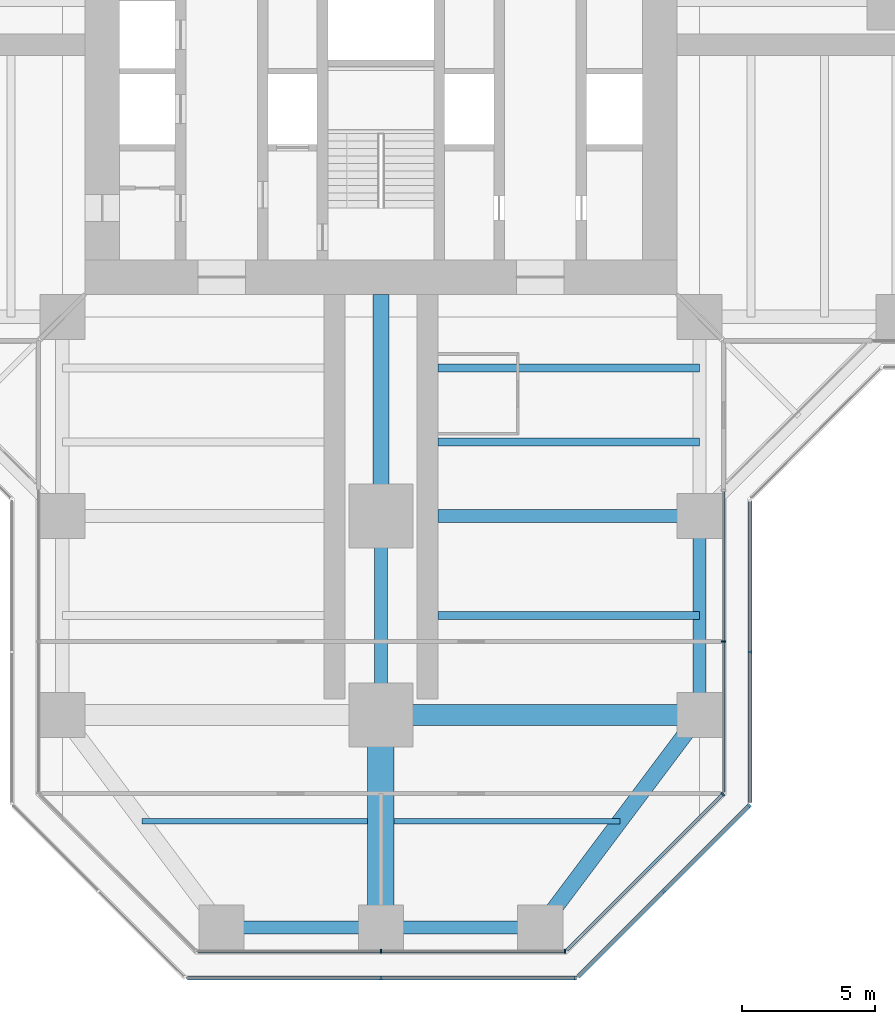
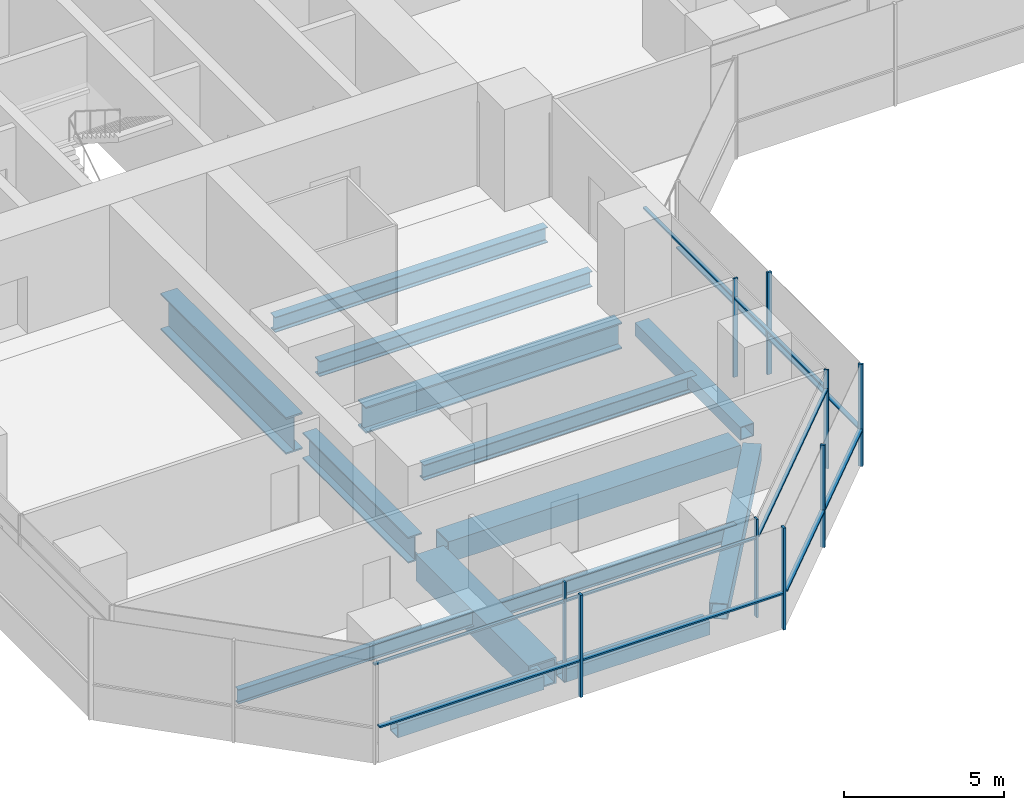
# One storey, part 5 of 22: 20 members, 14 beams, 6 elements without a shape of their own.
"""IFC4 building model written with IfcOpenShell, lengths in metres."""

import ifcopenshell
import ifcopenshell.guid

model = None  # the IFC model being written
_history = None  # IfcOwnerHistory: only IFC2X3 demands one
_inside = {}  # id of a spatial element -> (the spatial element, [elements in it])
_under = {}  # id of a project, library or spatial element -> (it, [spatial elements below it])
_declared = {}  # id of a project -> (the project, [libraries it declares])
_typed = {}  # id of a type object -> (the type object, [elements of that type])
_made_of = {}  # id of a material, layer set ... -> (it, [elements and type objects made of it])


def new_model(schema):
    """Start an empty IFC model of exactly this schema.

    Asked for "IFC4X3", IfcOpenShell would pick the latest addendum, in which some entities
    have other attributes; the version numbers below select the first issue.
    IFC2X3 requires an IfcOwnerHistory on every rooted entity: one is made here for all.
    """
    global model, _history
    if schema == "IFC4X3":
        model = ifcopenshell.file(schema_version=(4, 3, 0, 0))
    else:
        model = ifcopenshell.file(schema=schema)
    _inside.clear()
    _under.clear()
    _declared.clear()
    _typed.clear()
    _made_of.clear()
    _history = None
    if model.schema == "IFC2X3":
        org = make("IfcOrganization", Name="unknown")
        user = make(
            "IfcPersonAndOrganization",
            ThePerson=make("IfcPerson", FamilyName="unknown"),
            TheOrganization=org,
        )
        app = make(
            "IfcApplication",
            ApplicationDeveloper=org,
            Version="unknown",
            ApplicationFullName="unknown",
            ApplicationIdentifier="unknown",
        )
        _history = make(
            "IfcOwnerHistory",
            OwningUser=user,
            OwningApplication=app,
            ChangeAction="ADDED",
            CreationDate=0,
        )
    return model


def make(cls, **values):
    """One entity of the class cls with the attributes given. An attribute that is None is left unset."""
    return model.create_entity(
        cls, **{name: value for name, value in values.items() if value is not None}
    )


def rooted(cls, **values):
    """An entity with a GlobalId (a new one), such as an element, a storey or a relation."""
    return make(cls, GlobalId=ifcopenshell.guid.new(), OwnerHistory=_history, **values)


def si_unit(unit_type, name, prefix=None):
    """IfcSIUnit, for example si_unit("LENGTHUNIT", "METRE", prefix="MILLI")."""
    return make("IfcSIUnit", UnitType=unit_type, Prefix=prefix, Name=name)


def assignment(units):
    """IfcUnitAssignment: the units of a project."""
    return None if units is None else make("IfcUnitAssignment", Units=units)


def point(xyz):
    """IfcCartesianPoint."""
    return None if xyz is None else make("IfcCartesianPoint", Coordinates=xyz)


def direction(xyz):
    """IfcDirection."""
    return None if xyz is None else make("IfcDirection", DirectionRatios=xyz)


def frame(location, z_axis=None, x_axis=None):
    """IfcAxis2Placement3D, a coordinate frame: its origin and axes. An axis left out is left unset."""
    return make(
        "IfcAxis2Placement3D",
        Location=point(location),
        Axis=direction(z_axis),
        RefDirection=direction(x_axis),
    )


def frame_2d(location, x_axis=None):
    """IfcAxis2Placement2D, a coordinate frame in the plane: its origin and x axis."""
    return make(
        "IfcAxis2Placement2D", Location=point(location), RefDirection=direction(x_axis)
    )


def origin():
    """The frame at (0, 0, 0) with its axes left unset."""
    return frame((0.0, 0.0, 0.0))


def origin_2d():
    """The frame at (0, 0) in the plane with its x axis left unset."""
    return frame_2d((0.0, 0.0))


def place(relative_to, where):
    """IfcLocalPlacement: puts the frame where relative to a parent placement (None: the world)."""
    return make(
        "IfcLocalPlacement", PlacementRelTo=relative_to, RelativePlacement=where
    )


def context(
    kind, dimensions, precision=None, world=None, true_north=None, identifier=None
):
    """IfcGeometricRepresentationContext, for example the 3D "Model" context."""
    return make(
        "IfcGeometricRepresentationContext",
        ContextIdentifier=identifier,
        ContextType=kind,
        CoordinateSpaceDimension=dimensions,
        Precision=precision,
        WorldCoordinateSystem=world,
        TrueNorth=true_north,
    )


def subcontext(parent, identifier, kind, view, scale=None):
    """IfcGeometricRepresentationSubContext, for example "Body" below "Model"."""
    return make(
        "IfcGeometricRepresentationSubContext",
        ContextIdentifier=identifier,
        ContextType=kind,
        ParentContext=parent,
        TargetScale=scale,
        TargetView=view,
    )


def project(units=None, contexts=None):
    """IfcProject with its units and contexts."""
    return rooted(
        "IfcProject",
        Name="project",
        RepresentationContexts=contexts,
        UnitsInContext=assignment(units),
    )


def spatial(cls, under=None, at=None, **own):
    """A site, building, storey or space (cls), placed at a placement, below another one or the project."""
    s = rooted(cls, ObjectPlacement=at, **own)
    if under is not None:
        _under.setdefault(under.id(), (under, []))[1].append(s)
    return s


def profile(cls, at=None, kind="AREA", **sizes):
    """A parametric profile (cls). Its sizes go by their IFC names, for example OverallWidth=200.0."""
    return make(cls, ProfileType=kind, Position=at, **sizes)


def rectangle(**sizes):
    """IfcRectangleProfileDef."""
    return profile("IfcRectangleProfileDef", **sizes)


def hollow_rectangle(**sizes):
    """IfcRectangleHollowProfileDef."""
    return profile("IfcRectangleHollowProfileDef", **sizes)


def i_section(**sizes):
    """IfcIShapeProfileDef."""
    return profile("IfcIShapeProfileDef", **sizes)


def extrude(swept, where, along, depth):
    """IfcExtrudedAreaSolid: the profile swept, set in the frame where, extruded along a direction by depth."""
    return make(
        "IfcExtrudedAreaSolid",
        SweptArea=swept,
        Position=where,
        ExtrudedDirection=direction(along),
        Depth=depth,
    )


def shape(context_of_items, identifier, shape_type, items):
    """IfcShapeRepresentation: the items that make up one representation, for example the "Body"."""
    return make(
        "IfcShapeRepresentation",
        ContextOfItems=context_of_items,
        RepresentationIdentifier=identifier,
        RepresentationType=shape_type,
        Items=items,
    )


def material(Name=None, Category=None):
    """IfcMaterial."""
    return make("IfcMaterial", Name=Name, Category=Category)


def material_profile(
    of_material, cross_section, Name=None, Category=None, Priority=None
):
    """IfcMaterialProfile: a cross section and its material."""
    return make(
        "IfcMaterialProfile",
        Name=Name,
        Material=of_material,
        Profile=cross_section,
        Priority=Priority,
        Category=Category,
    )


def profile_set(profiles, Name=None, composite=None):
    """IfcMaterialProfileSet."""
    return make(
        "IfcMaterialProfileSet",
        Name=Name,
        MaterialProfiles=profiles,
        CompositeProfile=composite,
    )


def made_of(thing, what):
    """Note that an element or type object is made of a material, layer set ...; save() writes the relation."""
    if what is not None:
        _made_of.setdefault(what.id(), (what, []))[1].append(thing)
    return thing


def type_object(cls, material=None, **own):
    """A type object (cls), such as IfcWallType, which elements share."""
    return made_of(rooted(cls, **own), material)


def element(
    cls,
    number,
    at=None,
    inside=None,
    cuts=None,
    type_object=None,
    material=None,
    context=None,
    identifier="Body",
    shape_type=None,
    held_by="IfcProductDefinitionShape",
    body=None,
    shapes=None,
    **own,
):
    """One element of the class cls, such as IfcWall. Its Tag is "e" and its number.

    at: its placement. inside: the storey or other place that contains it. cuts: it is an
    opening in that element (IfcRelVoidsElement). A single representation is given by context,
    identifier, shape_type and body (its items); several are given by shapes. held_by: the class
    of the entity that holds the representations. save() writes the other relations.
    """
    e = rooted(cls, Tag="e%d" % number, ObjectPlacement=at, **own)
    if body is not None:
        shapes = [shape(context, identifier, shape_type, body)]
    if shapes is not None:
        e.Representation = make(held_by, Representations=shapes)
    if inside is not None:
        _inside.setdefault(inside.id(), (inside, []))[1].append(e)
    if cuts is not None:
        rooted(
            "IfcRelVoidsElement", RelatingBuildingElement=cuts, RelatedOpeningElement=e
        )
    if type_object is not None:
        _typed.setdefault(type_object.id(), (type_object, []))[1].append(e)
    return made_of(e, material)


def aggregate(whole, parts):
    """IfcRelAggregates: a whole, such as a stair, and the parts it consists of."""
    return rooted("IfcRelAggregates", RelatingObject=whole, RelatedObjects=parts)


def save(model, path):
    """Write the relations noted so far, then the file.

    IfcRelAggregates (storeys below a building ...), IfcRelContainedInSpatialStructure (elements
    in a storey), IfcRelDefinesByType, IfcRelAssociatesMaterial and IfcRelDeclares: one each for
    every whole, place, type object, material and project.
    """
    for whole, parts in _under.values():
        aggregate(whole, parts)
    for where, things in _inside.values():
        rooted(
            "IfcRelContainedInSpatialStructure",
            RelatedElements=things,
            RelatingStructure=where,
        )
    for kind, things in _typed.values():
        rooted("IfcRelDefinesByType", RelatedObjects=things, RelatingType=kind)
    for what, things in _made_of.values():
        rooted("IfcRelAssociatesMaterial", RelatedObjects=things, RelatingMaterial=what)
    for by, libraries in _declared.values():
        rooted("IfcRelDeclares", RelatingContext=by, RelatedDefinitions=libraries)
    model.write(path)


model = new_model("IFC4")

# Units and contexts
model_context = context("Model", 3, precision=1e-05, world=origin(), true_north=direction((0.0, 1.0)))
body_context = subcontext(model_context, "Body", "Model", "MODEL_VIEW")
ifc_project = project(units=[si_unit("LENGTHUNIT", "METRE"), si_unit("AREAUNIT", "SQUARE_METRE"), si_unit("VOLUMEUNIT", "CUBIC_METRE"), si_unit("PLANEANGLEUNIT", "RADIAN"), si_unit("MASSUNIT", "GRAM", prefix="KILO")], contexts=[model_context])

# Site, building, storey
site_placement = place(None, origin())
site = spatial("IfcSite", under=ifc_project, at=site_placement, CompositionType="ELEMENT")
building_placement = place(site_placement, origin())
building = spatial("IfcBuilding", under=site, at=building_placement, Name="Mizan Broadcast Tower", CompositionType="ELEMENT")
storey_placement = place(building_placement, frame((0.0, 0.0, 86.39990234375)))
storey = spatial("IfcBuildingStorey", under=building, at=storey_placement, Name="L18", CompositionType="ELEMENT", Elevation=86.39990234375)

# Beams
ifc_material_1 = material(Name="Steel S355", Category="steel")
ifc_material_profile_1 = material_profile(ifc_material_1, hollow_rectangle(XDim=0.5, YDim=0.5, WallThickness=0.030029296875, at=origin_2d()), Name="BOX 500x500x30")
ifc_profile_set_1 = profile_set([ifc_material_profile_1], Name="Steel S355")
beam_type_1 = type_object("IfcBeamType", Name="EDGE BEAM BOX 500x500x30", PredefinedType="SPANDREL", material=ifc_profile_set_1)
beam_1_placement = place(storey_placement, frame((-5.639892578125, -35.0, -0.3798828125), z_axis=(1.0, 0.0, 0.0), x_axis=(0.0, 1.0, 0.0)))
element("IfcBeam", 1, at=beam_1_placement, inside=storey, type_object=beam_type_1, Name="Edge beam BOX 500x500x30 L18 south arm", PredefinedType="SPANDREL", context=body_context, shape_type="SweptSolid", body=[
    extrude(hollow_rectangle(XDim=0.5, YDim=0.5, WallThickness=0.030029296875, at=origin_2d()), origin(), (0.0, 0.0, 1.0), 5.27978515625),
])
beam_2_placement = place(storey_placement, frame((12.0, -19.949951171875, -0.3798828125), z_axis=(0.0, -1.0, 0.0), x_axis=(1.0, 0.0, 0.0)))
element("IfcBeam", 2, at=beam_2_placement, inside=storey, type_object=beam_type_1, Name="Edge beam BOX 500x500x30 L18 south arm", PredefinedType="SPANDREL", context=body_context, shape_type="SweptSolid", body=[
    extrude(hollow_rectangle(XDim=0.5, YDim=0.5, WallThickness=0.030029296875, at=origin_2d()), origin(), (0.0, 0.0, 1.0), 6.60009765625),
])
beam_3_placement = place(storey_placement, frame((5.639892578125, -35.0, -0.3798828125), z_axis=(-1.0, 0.0, 0.0), x_axis=(0.0, -1.0, 0.0)))
element("IfcBeam", 3, at=beam_3_placement, inside=storey, type_object=beam_type_1, Name="Edge beam BOX 500x500x30 L18 south arm", PredefinedType="SPANDREL", context=body_context, shape_type="SweptSolid", body=[
    extrude(hollow_rectangle(XDim=0.5, YDim=0.5, WallThickness=0.030029296875, at=origin_2d()), origin(), (0.0, 0.0, 1.0), 5.27978515625),
])
ifc_material_2 = material(Name="Steel S355", Category="steel")
ifc_material_profile_2 = material_profile(ifc_material_2, hollow_rectangle(XDim=0.60009765625, YDim=0.60009765625, WallThickness=0.030029296875, at=origin_2d()), Name="BOX 600x600x30")
ifc_profile_set_2 = profile_set([ifc_material_profile_2], Name="Steel S355")
beam_type_2 = type_object("IfcBeamType", Name="EDGE BEAM BOX 600x600x30", PredefinedType="SPANDREL", material=ifc_profile_set_2)
beam_4_placement = place(storey_placement, frame((11.639892578125, -27.47998046875, -0.429931640625), z_axis=(-0.599982243973, -0.800013316712, 0.0), x_axis=(0.800013316712, -0.599982243973, 0.0)))
element("IfcBeam", 4, at=beam_4_placement, inside=storey, type_object=beam_type_2, Name="Edge beam BOX 600x600x30 L18 south arm", PredefinedType="SPANDREL", context=body_context, shape_type="SweptSolid", body=[
    extrude(hollow_rectangle(XDim=0.60009765625, YDim=0.60009765625, WallThickness=0.030029296875, at=origin_2d()), origin(), (0.0, 0.0, 1.0), 8.7998046875),
])
ifc_material_3 = material(Name="Steel S460", Category="steel")
ifc_material_profile_3 = material_profile(ifc_material_3, hollow_rectangle(XDim=1.0, YDim=1.0, WallThickness=0.06005859375, at=origin_2d()), Name="BOX 1000x1000x60")
ifc_profile_set_3 = profile_set([ifc_material_profile_3], Name="Steel S460")
beam_type_3 = type_object("IfcBeamType", Name="GIRDER BOX 1000x1000x60", PredefinedType="BEAM", material=ifc_profile_set_3)
beam_5_placement = place(storey_placement, frame((0.0, -27.47998046875, -0.6298828125), z_axis=(0.0, -1.0, 0.0), x_axis=(1.0, 0.0, 0.0)))
element("IfcBeam", 5, at=beam_5_placement, inside=storey, type_object=beam_type_3, Name="Girder BOX 1000x1000x60 L18 south arm", PredefinedType="BEAM", context=body_context, shape_type="SweptSolid", body=[
    extrude(hollow_rectangle(XDim=1.0, YDim=1.0, WallThickness=0.06005859375, at=origin_2d()), origin(), (0.0, 0.0, 1.0), 7.0400390625),
])
ifc_material_4 = material(Name="Steel S460", Category="steel")
ifc_material_profile_4 = material_profile(ifc_material_4, hollow_rectangle(XDim=0.800048828125, YDim=0.800048828125, WallThickness=0.050048828125, at=origin_2d()), Name="BOX 800x800x50")
ifc_profile_set_4 = profile_set([ifc_material_profile_4], Name="Steel S460")
beam_type_4 = type_object("IfcBeamType", Name="GIRDER BOX 800x800x50", PredefinedType="BEAM", material=ifc_profile_set_4)
beam_6_placement = place(storey_placement, frame((11.280029296875, -27.0, -0.52978515625), z_axis=(-1.0, 0.0, 0.0), x_axis=(0.0, -1.0, 0.0)))
element("IfcBeam", 6, at=beam_6_placement, inside=storey, type_object=beam_type_4, Name="Girder BOX 800x800x50 L18 south arm", PredefinedType="BEAM", context=body_context, shape_type="SweptSolid", body=[
    extrude(hollow_rectangle(XDim=0.800048828125, YDim=0.800048828125, WallThickness=0.050048828125, at=origin_2d()), origin(), (0.0, 0.0, 1.0), 10.56005859375),
])
ifc_material_5 = material(Name="Steel S460", Category="steel")
ifc_material_profile_5 = material_profile(ifc_material_5, i_section(OverallWidth=0.5, OverallDepth=1.0, WebThickness=0.02490234375, FlangeThickness=0.050048828125, at=origin_2d()), Name="WPG 1000x500")
ifc_profile_set_5 = profile_set([ifc_material_profile_5], Name="Steel S460")
beam_type_5 = type_object("IfcBeamType", Name="GIRDER WPG 1000x500", PredefinedType="BEAM", material=ifc_profile_set_5)
beam_7_placement = place(storey_placement, frame((0.0, -19.949951171875, -0.6298828125), z_axis=(0.0, -1.0, 0.0), x_axis=(1.0, 0.0, 0.0)))
element("IfcBeam", 7, at=beam_7_placement, inside=storey, type_object=beam_type_5, Name="Girder WPG 1000x500 L18 south arm", PredefinedType="BEAM", context=body_context, shape_type="SweptSolid", body=[
    extrude(i_section(OverallWidth=0.5, OverallDepth=1.0, WebThickness=0.02490234375, FlangeThickness=0.050048828125, at=origin_2d()), origin(), (0.0, 0.0, 1.0), 6.60009765625),
])
beam_8_placement = place(storey_placement, frame((11.408935546875, -19.5, -0.6298828125), z_axis=(-1.0, 0.0, 0.0), x_axis=(0.0, -1.0, 0.0)))
element("IfcBeam", 8, at=beam_8_placement, inside=storey, type_object=beam_type_5, Name="Girder WPG 1000x500 L18 south arm", PredefinedType="BEAM", context=body_context, shape_type="SweptSolid", body=[
    extrude(i_section(OverallWidth=0.5, OverallDepth=1.0, WebThickness=0.02490234375, FlangeThickness=0.050048828125, at=origin_2d()), origin(), (0.0, 0.0, 1.0), 9.259033203125),
])
ifc_material_6 = material(Name="Steel S460", Category="steel")
ifc_material_profile_6 = material_profile(ifc_material_6, i_section(OverallWidth=0.60009765625, OverallDepth=1.39990234375, WebThickness=0.02490234375, FlangeThickness=0.06005859375, at=origin_2d()), Name="WPG 1400x600")
ifc_profile_set_6 = profile_set([ifc_material_profile_6], Name="Steel S460")
beam_type_6 = type_object("IfcBeamType", Name="GIRDER WPG 1400x600", PredefinedType="BEAM", material=ifc_profile_set_6)
beam_9_placement = place(storey_placement, frame((0.0, -11.14990234375, -0.829833984375), z_axis=(0.0, -1.0, 0.0), x_axis=(1.0, 0.0, 0.0)))
element("IfcBeam", 9, at=beam_9_placement, inside=storey, type_object=beam_type_6, Name="Girder WPG 1400x600 L18 south arm", PredefinedType="BEAM", context=body_context, shape_type="SweptSolid", body=[
    extrude(i_section(OverallWidth=0.60009765625, OverallDepth=1.39990234375, WebThickness=0.02490234375, FlangeThickness=0.06005859375, at=origin_2d()), origin(), (0.0, 0.0, 1.0), 7.84912109375),
])

# Curtain wall, members
ifc_material_7 = material(Name="Aluminium framed glazing", Category="aluminium")
curtain_wall_type_1 = type_object("IfcCurtainWallType", Name="INNER SKIN LOW ZONE", PredefinedType="USERDEFINED", material=ifc_material_7)
curtain_wall_1_placement = place(storey_placement, origin())
curtain_wall_1 = element("IfcCurtainWall", 10, at=curtain_wall_1_placement, inside=storey, type_object=curtain_wall_type_1, Name="Inner skin low zone L18 S end", ObjectType="INNER SKIN LOW ZONE", PredefinedType="USERDEFINED")
ifc_material_8 = material(Name="Aluminium, pale anodised", Category="aluminium")
ifc_material_profile_7 = material_profile(ifc_material_8, rectangle(XDim=0.159912109375, YDim=0.06005859375, at=origin_2d()), Name="MULLION 160x60")
ifc_profile_set_7 = profile_set([ifc_material_profile_7], Name="Aluminium, pale anodised")
member_type_1 = type_object("IfcMemberType", Name="INNER SKIN MULLION 60x160", PredefinedType="MULLION", material=ifc_profile_set_7)
member_1_placement = place(storey_placement, frame((0.0, -35.89990234375, 0.0), z_axis=(0.0, 0.0, 1.0), x_axis=(0.0, 1.0, 0.0)))
member_1 = element("IfcMember", 11, at=member_1_placement, type_object=member_type_1, Name="Inner skin low zone L18 S end mullion 2", PredefinedType="MULLION", context=body_context, shape_type="SweptSolid", body=[
    extrude(rectangle(XDim=0.159912109375, YDim=0.06005859375, at=origin_2d()), origin(), (0.0, 0.0, 1.0), 3.77001953125),
])
member_2_placement = place(storey_placement, frame((6.928466796875, -35.89990234375, 0.0), z_axis=(0.0, 0.0, 1.0), x_axis=(0.0, 1.0, 0.0)))
member_2 = element("IfcMember", 12, at=member_2_placement, type_object=member_type_1, Name="Inner skin low zone L18 S end mullion 3", PredefinedType="MULLION", context=body_context, shape_type="SweptSolid", body=[
    extrude(rectangle(XDim=0.159912109375, YDim=0.06005859375, at=origin_2d()), origin(), (0.0, 0.0, 1.0), 3.77001953125),
])

# Curtain wall, member
curtain_wall_2_placement = place(storey_placement, origin())
curtain_wall_2 = element("IfcCurtainWall", 13, at=curtain_wall_2_placement, inside=storey, type_object=curtain_wall_type_1, Name="Inner skin low zone L18 S chamfer", ObjectType="INNER SKIN LOW ZONE", PredefinedType="USERDEFINED")
member_3_placement = place(storey_placement, frame((12.87890625, -29.979736328125, 0.0), z_axis=(0.0, 0.0, 1.0), x_axis=(-0.707106781187, 0.707106781187, 0.0)))
member_3 = element("IfcMember", 14, at=member_3_placement, type_object=member_type_1, Name="Inner skin low zone L18 S chamfer mullion 2", PredefinedType="MULLION", context=body_context, shape_type="SweptSolid", body=[
    extrude(rectangle(XDim=0.159912109375, YDim=0.06005859375, at=origin_2d()), origin(), (0.0, 0.0, 1.0), 3.77001953125),
])

curtain_wall_3_placement = place(storey_placement, origin())
curtain_wall_3 = element("IfcCurtainWall", 15, at=curtain_wall_3_placement, inside=storey, type_object=curtain_wall_type_1, Name="Inner skin low zone L18 S side", ObjectType="INNER SKIN LOW ZONE", PredefinedType="USERDEFINED")
member_4_placement = place(storey_placement, frame((12.89990234375, -24.229248046875, 0.0), z_axis=(0.0, 0.0, 1.0), x_axis=(-1.0, 0.0, 0.0)))
member_4 = element("IfcMember", 16, at=member_4_placement, type_object=member_type_1, Name="Inner skin low zone L18 S side mullion 2", PredefinedType="MULLION", context=body_context, shape_type="SweptSolid", body=[
    extrude(rectangle(XDim=0.159912109375, YDim=0.06005859375, at=origin_2d()), origin(), (0.0, 0.0, 1.0), 3.77001953125),
])

# Member
ifc_material_9 = material(Name="Aluminium, pale anodised", Category="aluminium")
ifc_material_profile_8 = material_profile(ifc_material_9, rectangle(XDim=0.1201171875, YDim=0.06005859375, at=origin_2d()), Name="TRANSOM 120x60")
ifc_profile_set_8 = profile_set([ifc_material_profile_8], Name="Aluminium, pale anodised")
member_type_2 = type_object("IfcMemberType", Name="INNER SKIN TRANSOM 60x120", PredefinedType="USERDEFINED", material=ifc_profile_set_8)
member_5_placement = place(storey_placement, frame((-6.898681640625, -35.89990234375, 3.030029296875), z_axis=(1.0, 0.0, 0.0), x_axis=(0.0, 1.0, 0.0)))
member_5 = element("IfcMember", 17, at=member_5_placement, type_object=member_type_2, Name="Inner skin low zone L18 S end transom 1.1", ObjectType="TRANSOM", PredefinedType="USERDEFINED", context=body_context, shape_type="SweptSolid", body=[
    extrude(rectangle(XDim=0.1201171875, YDim=0.06005859375, at=origin_2d()), origin(), (0.0, 0.0, 1.0), 6.86865234375),
])

member_6_placement = place(storey_placement, frame((0.030029296875, -35.89990234375, 3.030029296875), z_axis=(1.0, 0.0, 0.0), x_axis=(0.0, 1.0, 0.0)))
member_6 = element("IfcMember", 18, at=member_6_placement, type_object=member_type_2, Name="Inner skin low zone L18 S end transom 2.1", ObjectType="TRANSOM", PredefinedType="USERDEFINED", context=body_context, shape_type="SweptSolid", body=[
    extrude(rectangle(XDim=0.1201171875, YDim=0.06005859375, at=origin_2d()), origin(), (0.0, 0.0, 1.0), 6.86865234375),
])

aggregate(curtain_wall_1, [member_1, member_2, member_5, member_6])

member_7_placement = place(storey_placement, frame((7.0009765625, -35.857666015625, 3.030029296875), z_axis=(0.707106781187, 0.707106781187, 0.0), x_axis=(-0.707106781187, 0.707106781187, 0.0)))
member_7 = element("IfcMember", 19, at=member_7_placement, type_object=member_type_2, Name="Inner skin low zone L18 S chamfer transom 1.1", ObjectType="TRANSOM", PredefinedType="USERDEFINED", context=body_context, shape_type="SweptSolid", body=[
    extrude(rectangle(XDim=0.1201171875, YDim=0.06005859375, at=origin_2d()), origin(), (0.0, 0.0, 1.0), 8.28271484375),
])

aggregate(curtain_wall_2, [member_3, member_7])

member_8_placement = place(storey_placement, frame((12.89990234375, -29.898681640625, 3.030029296875), z_axis=(0.0, 1.0, 0.0), x_axis=(-1.0, 0.0, 0.0)))
member_8 = element("IfcMember", 20, at=member_8_placement, type_object=member_type_2, Name="Inner skin low zone L18 S side transom 1.1", ObjectType="TRANSOM", PredefinedType="USERDEFINED", context=body_context, shape_type="SweptSolid", body=[
    extrude(rectangle(XDim=0.1201171875, YDim=0.06005859375, at=origin_2d()), origin(), (0.0, 0.0, 1.0), 5.639404296875),
])

member_9_placement = place(storey_placement, frame((12.89990234375, -24.19921875, 3.030029296875), z_axis=(0.0, 1.0, 0.0), x_axis=(-1.0, 0.0, 0.0)))
member_9 = element("IfcMember", 21, at=member_9_placement, type_object=member_type_2, Name="Inner skin low zone L18 S side transom 2.1", ObjectType="TRANSOM", PredefinedType="USERDEFINED", context=body_context, shape_type="SweptSolid", body=[
    extrude(rectangle(XDim=0.1201171875, YDim=0.06005859375, at=origin_2d()), origin(), (0.0, 0.0, 1.0), 5.63916015625),
])

aggregate(curtain_wall_3, [member_4, member_8, member_9])

# Curtain wall, members
ifc_material_10 = material(Name="Aluminium framed glazing", Category="aluminium")
curtain_wall_type_2 = type_object("IfcCurtainWallType", Name="OUTER SKIN", PredefinedType="USERDEFINED", material=ifc_material_10)
curtain_wall_4_placement = place(storey_placement, origin())
curtain_wall_4 = element("IfcCurtainWall", 22, at=curtain_wall_4_placement, inside=storey, type_object=curtain_wall_type_2, Name="Outer skin L18 S end", ObjectType="OUTER SKIN", PredefinedType="USERDEFINED")
ifc_material_11 = material(Name="Aluminium, pale anodised", Category="aluminium")
ifc_material_profile_9 = material_profile(ifc_material_11, rectangle(XDim=0.159912109375, YDim=0.080078125, at=origin_2d()), Name="MULLION 160x80")
ifc_profile_set_9 = profile_set([ifc_material_profile_9], Name="Aluminium, pale anodised")
member_type_3 = type_object("IfcMemberType", Name="OUTER SKIN MULLION 80x160", PredefinedType="MULLION", material=ifc_profile_set_9)
member_10_placement = place(storey_placement, frame((0.0, -36.89990234375, 0.0), z_axis=(0.0, 0.0, 1.0), x_axis=(0.0, 1.0, 0.0)))
member_10 = element("IfcMember", 23, at=member_10_placement, type_object=member_type_3, Name="Outer skin L18 S end mullion 2", PredefinedType="MULLION", context=body_context, shape_type="SweptSolid", body=[
    extrude(rectangle(XDim=0.159912109375, YDim=0.080078125, at=origin_2d()), origin(), (0.0, 0.0, 1.0), 3.900146484375),
])
member_11_placement = place(storey_placement, frame((7.332763671875, -36.89990234375, 0.0), z_axis=(0.0, 0.0, 1.0), x_axis=(0.0, 1.0, 0.0)))
member_11 = element("IfcMember", 24, at=member_11_placement, type_object=member_type_3, Name="Outer skin L18 S end mullion 3", PredefinedType="MULLION", context=body_context, shape_type="SweptSolid", body=[
    extrude(rectangle(XDim=0.159912109375, YDim=0.080078125, at=origin_2d()), origin(), (0.0, 0.0, 1.0), 3.900146484375),
])

curtain_wall_5_placement = place(storey_placement, origin())
curtain_wall_5 = element("IfcCurtainWall", 25, at=curtain_wall_5_placement, inside=storey, type_object=curtain_wall_type_2, Name="Outer skin L18 S chamfer", ObjectType="OUTER SKIN", PredefinedType="USERDEFINED")
member_12_placement = place(storey_placement, frame((10.636474609375, -33.636474609375, 0.0), z_axis=(0.0, 0.0, 1.0), x_axis=(-0.707106781187, 0.707106781187, 0.0)))
member_12 = element("IfcMember", 26, at=member_12_placement, type_object=member_type_3, Name="Outer skin L18 S chamfer mullion 2", PredefinedType="MULLION", context=body_context, shape_type="SweptSolid", body=[
    extrude(rectangle(XDim=0.159912109375, YDim=0.080078125, at=origin_2d()), origin(), (0.0, 0.0, 1.0), 3.900146484375),
])
member_13_placement = place(storey_placement, frame((13.871826171875, -30.401123046875, 0.0), z_axis=(0.0, 0.0, 1.0), x_axis=(-0.707106781187, 0.707106781187, 0.0)))
member_13 = element("IfcMember", 27, at=member_13_placement, type_object=member_type_3, Name="Outer skin L18 S chamfer mullion 3", PredefinedType="MULLION", context=body_context, shape_type="SweptSolid", body=[
    extrude(rectangle(XDim=0.159912109375, YDim=0.080078125, at=origin_2d()), origin(), (0.0, 0.0, 1.0), 3.900146484375),
])

# Curtain wall, member
curtain_wall_6_placement = place(storey_placement, origin())
curtain_wall_6 = element("IfcCurtainWall", 28, at=curtain_wall_6_placement, inside=storey, type_object=curtain_wall_type_2, Name="Outer skin L18 S side", ObjectType="OUTER SKIN", PredefinedType="USERDEFINED")
member_14_placement = place(storey_placement, frame((13.89990234375, -24.622802734375, 0.0), z_axis=(0.0, 0.0, 1.0), x_axis=(-1.0, 0.0, 0.0)))
member_14 = element("IfcMember", 29, at=member_14_placement, type_object=member_type_3, Name="Outer skin L18 S side mullion 2", PredefinedType="MULLION", context=body_context, shape_type="SweptSolid", body=[
    extrude(rectangle(XDim=0.159912109375, YDim=0.080078125, at=origin_2d()), origin(), (0.0, 0.0, 1.0), 3.900146484375),
])

# Member
ifc_material_12 = material(Name="Aluminium, pale anodised", Category="aluminium")
ifc_material_profile_10 = material_profile(ifc_material_12, rectangle(XDim=0.159912109375, YDim=0.06005859375, at=origin_2d()), Name="TRANSOM 160x60")
ifc_profile_set_10 = profile_set([ifc_material_profile_10], Name="Aluminium, pale anodised")
member_type_4 = type_object("IfcMemberType", Name="OUTER SKIN TRANSOM 60x160", PredefinedType="USERDEFINED", material=ifc_profile_set_10)
member_15_placement = place(storey_placement, frame((-7.292724609375, -36.89990234375, 1.400146484375), z_axis=(1.0, 0.0, 0.0), x_axis=(0.0, 1.0, 0.0)))
member_15 = element("IfcMember", 30, at=member_15_placement, type_object=member_type_4, Name="Outer skin L18 S end transom 1.1", ObjectType="TRANSOM", PredefinedType="USERDEFINED", context=body_context, shape_type="SweptSolid", body=[
    extrude(rectangle(XDim=0.159912109375, YDim=0.06005859375, at=origin_2d()), origin(), (0.0, 0.0, 1.0), 7.252685546875),
])

member_16_placement = place(storey_placement, frame((0.0400390625, -36.89990234375, 1.400146484375), z_axis=(1.0, 0.0, 0.0), x_axis=(0.0, 1.0, 0.0)))
member_16 = element("IfcMember", 31, at=member_16_placement, type_object=member_type_4, Name="Outer skin L18 S end transom 2.1", ObjectType="TRANSOM", PredefinedType="USERDEFINED", context=body_context, shape_type="SweptSolid", body=[
    extrude(rectangle(XDim=0.159912109375, YDim=0.06005859375, at=origin_2d()), origin(), (0.0, 0.0, 1.0), 7.252685546875),
])

aggregate(curtain_wall_4, [member_10, member_11, member_15, member_16])

member_17_placement = place(storey_placement, frame((7.429443359375, -36.843505859375, 1.400146484375), z_axis=(0.707106781187, 0.707106781187, 0.0), x_axis=(-0.707106781187, 0.707106781187, 0.0)))
member_17 = element("IfcMember", 32, at=member_17_placement, type_object=member_type_4, Name="Outer skin L18 S chamfer transom 1.1", ObjectType="TRANSOM", PredefinedType="USERDEFINED", context=body_context, shape_type="SweptSolid", body=[
    extrude(rectangle(XDim=0.159912109375, YDim=0.06005859375, at=origin_2d()), origin(), (0.0, 0.0, 1.0), 4.495361328125),
])

member_18_placement = place(storey_placement, frame((10.664794921875, -33.608154296875, 1.400146484375), z_axis=(0.707106781187, 0.707106781187, 0.0), x_axis=(-0.707106781187, 0.707106781187, 0.0)))
member_18 = element("IfcMember", 33, at=member_18_placement, type_object=member_type_4, Name="Outer skin L18 S chamfer transom 2.1", ObjectType="TRANSOM", PredefinedType="USERDEFINED", context=body_context, shape_type="SweptSolid", body=[
    extrude(rectangle(XDim=0.159912109375, YDim=0.06005859375, at=origin_2d()), origin(), (0.0, 0.0, 1.0), 4.495361328125),
])

aggregate(curtain_wall_5, [member_12, member_13, member_17, member_18])

member_19_placement = place(storey_placement, frame((13.89990234375, -30.292724609375, 1.400146484375), z_axis=(0.0, 1.0, 0.0), x_axis=(-1.0, 0.0, 0.0)))
member_19 = element("IfcMember", 34, at=member_19_placement, type_object=member_type_4, Name="Outer skin L18 S side transom 1.1", ObjectType="TRANSOM", PredefinedType="USERDEFINED", context=body_context, shape_type="SweptSolid", body=[
    extrude(rectangle(XDim=0.159912109375, YDim=0.06005859375, at=origin_2d()), origin(), (0.0, 0.0, 1.0), 5.6298828125),
])

member_20_placement = place(storey_placement, frame((13.89990234375, -24.582763671875, 1.400146484375), z_axis=(0.0, 1.0, 0.0), x_axis=(-1.0, 0.0, 0.0)))
member_20 = element("IfcMember", 35, at=member_20_placement, type_object=member_type_4, Name="Outer skin L18 S side transom 2.1", ObjectType="TRANSOM", PredefinedType="USERDEFINED", context=body_context, shape_type="SweptSolid", body=[
    extrude(rectangle(XDim=0.159912109375, YDim=0.06005859375, at=origin_2d()), origin(), (0.0, 0.0, 1.0), 5.6298828125),
])

aggregate(curtain_wall_6, [member_14, member_19, member_20])

# Beams
ifc_material_13 = material(Name="Steel S355", Category="steel")
ifc_material_profile_11 = material_profile(ifc_material_13, i_section(OverallWidth=0.300048828125, OverallDepth=0.590087890625, WebThickness=0.012939453125, FlangeThickness=0.02490234375, FilletRadius=0.027099609375, at=origin_2d()), Name="HEA 600")
ifc_profile_set_11 = profile_set([ifc_material_profile_11], Name="Steel S355")
beam_type_7 = type_object("IfcBeamType", Name="SECONDARY BEAM HEA 600", PredefinedType="JOIST", material=ifc_profile_set_11)
for number, where, z_axis, x_axis, name in (
    (36, (12.0, -13.933349609375, -0.4248046875), (-1.0, 0.0, 0.0), (0.0, -1.0, 0.0), "Secondary beam HEA 600 L18 south arm"),
    (37, (12.0, -16.716552734375, -0.4248046875), (-1.0, 0.0, 0.0), (0.0, -1.0, 0.0), "Secondary beam HEA 600 L18 south arm"),
    (38, (12.0, -23.25, -0.4248046875), (-1.0, 0.0, 0.0), (0.0, -1.0, 0.0), "Secondary beam HEA 600 L18 south arm"),
):
    element("IfcBeam", number, at=place(storey_placement, frame(where, z_axis=z_axis, x_axis=x_axis)), inside=storey, type_object=beam_type_7, Name=name, PredefinedType="JOIST", context=body_context, shape_type="SweptSolid", body=[
        extrude(i_section(OverallWidth=0.300048828125, OverallDepth=0.590087890625, WebThickness=0.012939453125, FlangeThickness=0.02490234375, FilletRadius=0.027099609375, at=origin_2d()), origin(), (0.0, 0.0, 1.0), 9.85009765625),
    ])
ifc_material_14 = material(Name="Steel S355", Category="steel")
ifc_material_profile_12 = material_profile(ifc_material_14, i_section(OverallWidth=0.2099609375, OverallDepth=0.550048828125, WebThickness=0.010986328125, FlangeThickness=0.01708984375, FilletRadius=0.02392578125, at=origin_2d()), Name="IPE 550")
ifc_profile_set_12 = profile_set([ifc_material_profile_12], Name="Steel S355")
beam_type_8 = type_object("IfcBeamType", Name="SECONDARY BEAM IPE 550", PredefinedType="JOIST", material=ifc_profile_set_12)
for number, where, z_axis, x_axis, name in (
    (39, (-9.0, -31.0, -0.40478515625), (1.0, 0.0, 0.0), (0.0, 1.0, 0.0), "Secondary beam IPE 550 L18 south arm"),
    (40, (9.0, -31.0, -0.40478515625), (-1.0, 0.0, 0.0), (0.0, -1.0, 0.0), "Secondary beam IPE 550 L18 south arm"),
):
    element("IfcBeam", number, at=place(storey_placement, frame(where, z_axis=z_axis, x_axis=x_axis)), inside=storey, type_object=beam_type_8, Name=name, PredefinedType="JOIST", context=body_context, shape_type="SweptSolid", body=[
        extrude(i_section(OverallWidth=0.2099609375, OverallDepth=0.550048828125, WebThickness=0.010986328125, FlangeThickness=0.01708984375, FilletRadius=0.02392578125, at=origin_2d()), origin(), (0.0, 0.0, 1.0), 8.5),
    ])

save(model, "model.ifc")
